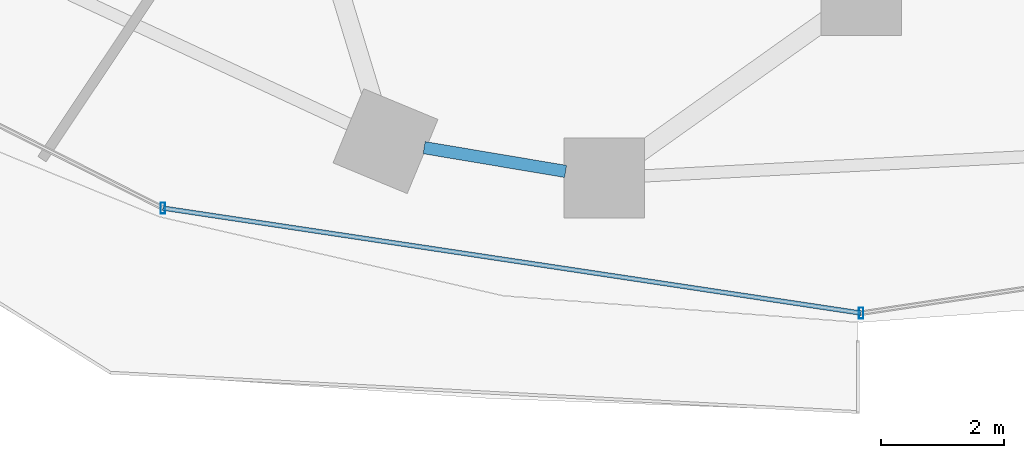
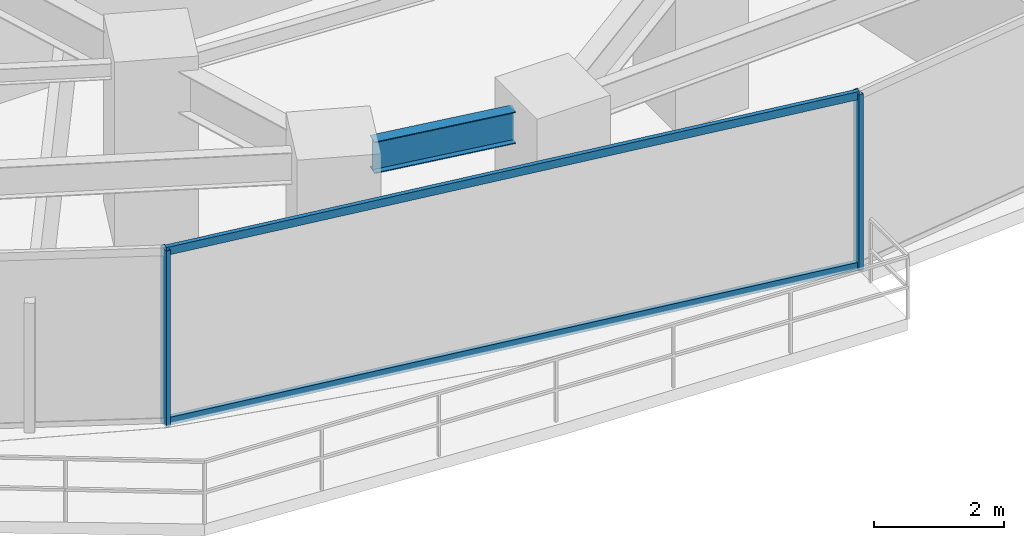
# One storey, part 5 of 33: 4 members, 1 beam, 1 element without a shape of its own.
"""IFC4 building model written with IfcOpenShell, lengths in metres."""

from ifc_helpers import new_model, si_unit, direction, frame, origin, origin_2d, place, context, subcontext, project, spatial, hollow_rectangle, i_section, extrude, material, material_profile, profile_set, type_object, element, aggregate, save


model = new_model("IFC4")

# Units and contexts
model_context = context("Model", 3, precision=1e-05, world=origin(), true_north=direction((0.0, 1.0)))
body_context = subcontext(model_context, "Body", "Model", "MODEL_VIEW")
ifc_project = project(units=[si_unit("LENGTHUNIT", "METRE"), si_unit("AREAUNIT", "SQUARE_METRE"), si_unit("VOLUMEUNIT", "CUBIC_METRE"), si_unit("PLANEANGLEUNIT", "RADIAN"), si_unit("MASSUNIT", "GRAM", prefix="KILO")], contexts=[model_context])

# Site, building, storey
site_placement = place(None, origin())
site = spatial("IfcSite", under=ifc_project, at=site_placement, CompositionType="ELEMENT")
building_placement = place(site_placement, origin())
building = spatial("IfcBuilding", under=site, at=building_placement, Name="Vorneva Point Tower", CompositionType="ELEMENT")
storey_placement = place(building_placement, frame((0.0, 0.0, 38.0)))
storey = spatial("IfcBuildingStorey", under=building, at=storey_placement, Name="L09", CompositionType="ELEMENT", Elevation=38.0)

# Beam
ifc_material_1 = material(Name="Steel S355", Category="steel")
ifc_material_profile_1 = material_profile(ifc_material_1, i_section(OverallWidth=0.198974609375, OverallDepth=0.595947265625, WebThickness=0.010009765625, FlangeThickness=0.014892578125, at=origin_2d()), Name="60B1")
ifc_profile_set_1 = profile_set([ifc_material_profile_1], Name="Steel S355")
beam_type = type_object("IfcBeamType", Name="BM-SPN-60B1", PredefinedType="SPANDREL", material=ifc_profile_set_1)
beam_placement = place(storey_placement, frame((30.923095703125, 6.330078125, 2.94189453125), z_axis=(0.986171485548, -0.165728093852, 0.0), x_axis=(0.165728093852, 0.986171485548, 0.0)))
element("IfcBeam", 1, at=beam_placement, inside=storey, type_object=beam_type, Name="L09 Perimeter Spandrel Ring Beam 12", PredefinedType="SPANDREL", context=body_context, shape_type="SweptSolid", body=[
    extrude(i_section(OverallWidth=0.198974609375, OverallDepth=0.595947265625, WebThickness=0.010009765625, FlangeThickness=0.014892578125, at=origin_2d()), origin(), (0.0, 0.0, 1.0), 2.3232421875),
])

# Curtain wall, members
ifc_material_2 = material(Name="Pale anodised aluminium", Category="aluminium")
curtain_wall_type = type_object("IfcCurtainWallType", Name="CW-HTL-SYS", PredefinedType="NOTDEFINED", material=ifc_material_2)
curtain_wall_placement = place(storey_placement, origin())
curtain_wall = element("IfcCurtainWall", 2, at=curtain_wall_placement, inside=storey, type_object=curtain_wall_type, Name="L09 Unitised Curtain Wall CW-L09-R04", PredefinedType="NOTDEFINED")
ifc_material_profile_2 = material_profile(ifc_material_2, hollow_rectangle(XDim=0.074951171875, YDim=0.179931640625, WallThickness=0.00390625, at=origin_2d()), Name="AL-MUL 180x75x4")
ifc_profile_set_2 = profile_set([ifc_material_profile_2], Name="Pale anodised aluminium")
member_type_1 = type_object("IfcMemberType", Name="CW-MUL-180", PredefinedType="MULLION", material=ifc_profile_set_2)
member_1_placement = place(storey_placement, frame((26.691650390625, 5.351318359375, -0.0400390625), z_axis=(0.0, 0.0, 1.0), x_axis=(1.0, 0.0, 0.0)))
member_1 = element("IfcMember", 3, at=member_1_placement, type_object=member_type_1, Name="CW-L09-R04 Mullion 02", PredefinedType="MULLION", context=body_context, shape_type="SweptSolid", body=[
    extrude(hollow_rectangle(XDim=0.074951171875, YDim=0.179931640625, WallThickness=0.00390625, at=origin_2d()), origin(), (0.0, 0.0, 1.0), 3.31005859375),
])
member_2_placement = place(storey_placement, frame((38.0, 3.64990234375, -0.0400390625), z_axis=(0.0, 0.0, 1.0), x_axis=(1.0, 0.0, 0.0)))
member_2 = element("IfcMember", 4, at=member_2_placement, type_object=member_type_1, Name="CW-L09-R04 Mullion 03", PredefinedType="MULLION", context=body_context, shape_type="SweptSolid", body=[
    extrude(hollow_rectangle(XDim=0.074951171875, YDim=0.179931640625, WallThickness=0.00390625, at=origin_2d()), origin(), (0.0, 0.0, 1.0), 3.31005859375),
])
ifc_material_profile_3 = material_profile(ifc_material_2, hollow_rectangle(XDim=0.074951171875, YDim=0.14990234375, WallThickness=0.00390625, at=origin_2d()), Name="AL-TRN 150x75x4")
ifc_profile_set_3 = profile_set([ifc_material_profile_3], Name="Pale anodised aluminium")
member_type_2 = type_object("IfcMemberType", Name="CW-TRN-150", PredefinedType="USERDEFINED", material=ifc_profile_set_3)
member_3_placement = place(storey_placement, frame((26.691650390625, 5.351318359375, 0.02001953125), z_axis=(0.988870014575, -0.148782036131, 0.0), x_axis=(0.148782036131, 0.988870014575, 0.0)))
member_3 = element("IfcMember", 5, at=member_3_placement, type_object=member_type_2, Name="CW-L09-R04 Transom 02.1", ObjectType="TRANSOM", PredefinedType="USERDEFINED", context=body_context, shape_type="SweptSolid", body=[
    extrude(hollow_rectangle(XDim=0.074951171875, YDim=0.14990234375, WallThickness=0.00390625, at=origin_2d()), origin(), (0.0, 0.0, 1.0), 11.435546875),
])
member_4_placement = place(storey_placement, frame((26.691650390625, 5.351318359375, 3.219970703125), z_axis=(0.988870014575, -0.148782036131, 0.0), x_axis=(0.148782036131, 0.988870014575, 0.0)))
member_4 = element("IfcMember", 6, at=member_4_placement, type_object=member_type_2, Name="CW-L09-R04 Transom 02.2", ObjectType="TRANSOM", PredefinedType="USERDEFINED", context=body_context, shape_type="SweptSolid", body=[
    extrude(hollow_rectangle(XDim=0.074951171875, YDim=0.14990234375, WallThickness=0.00390625, at=origin_2d()), origin(), (0.0, 0.0, 1.0), 11.435546875),
])
aggregate(curtain_wall, [member_1, member_2, member_3, member_4])

save(model, "model.ifc")
